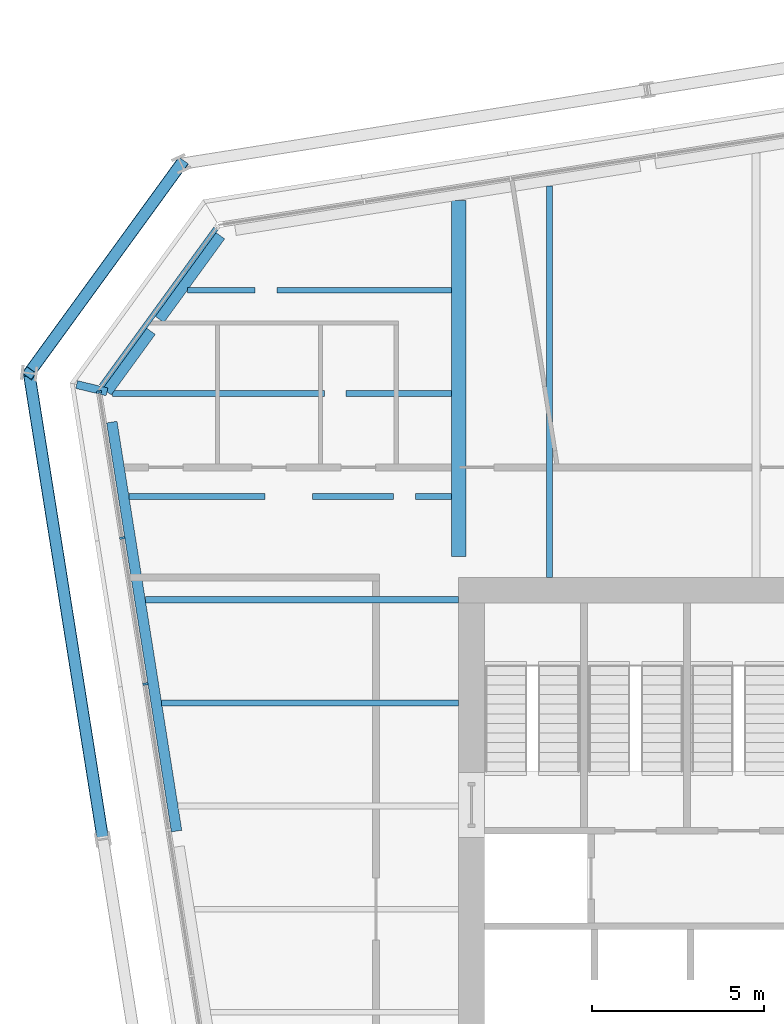
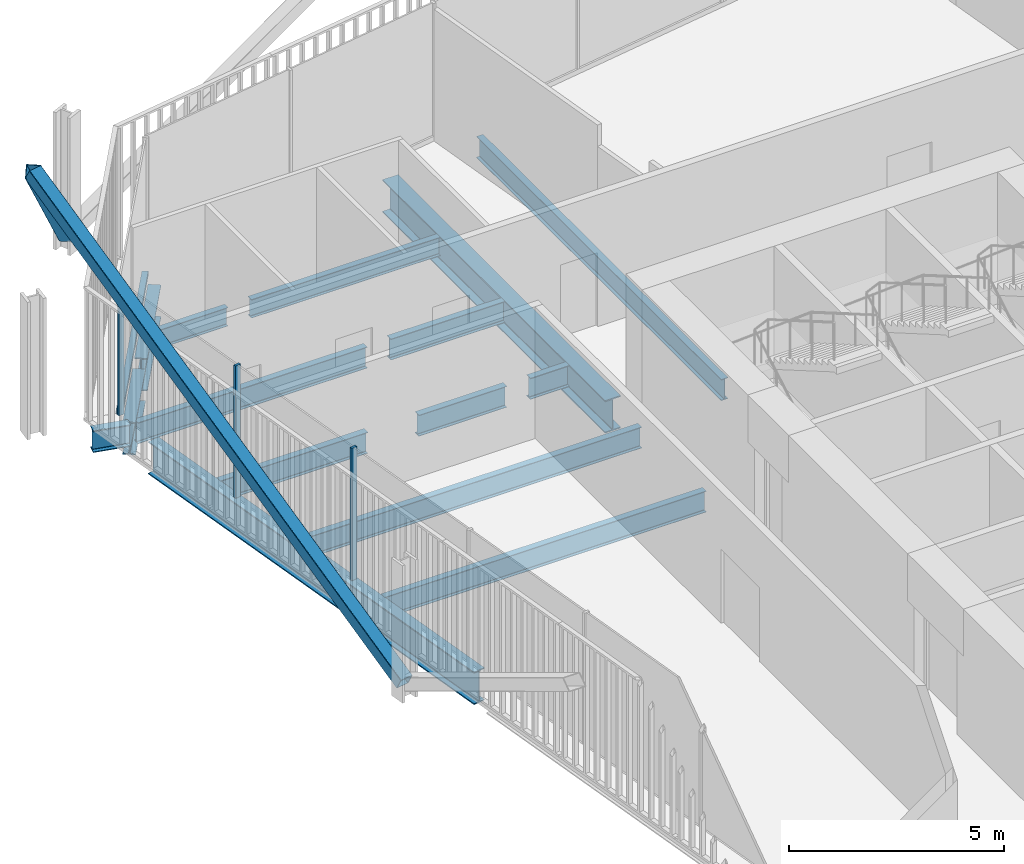
# One storey, part 7 of 19: 15 beams, 6 members, 2 elements without a shape of their own.
"""IFC4 building model written with IfcOpenShell, lengths in metres."""

from ifc_helpers import new_model, si_unit, direction, frame, origin, origin_2d, place, context, subcontext, project, spatial, rectangle, hollow_rectangle, i_section, extrude, material, layer, layer_set, material_profile, profile_set, type_object, element, aggregate, save


model = new_model("IFC4")

# Units and contexts
model_context = context("Model", 3, precision=1e-05, world=origin(), true_north=direction((0.0, 1.0)))
body_context = subcontext(model_context, "Body", "Model", "MODEL_VIEW")
ifc_project = project(units=[si_unit("LENGTHUNIT", "METRE"), si_unit("AREAUNIT", "SQUARE_METRE"), si_unit("VOLUMEUNIT", "CUBIC_METRE"), si_unit("PLANEANGLEUNIT", "RADIAN"), si_unit("MASSUNIT", "GRAM", prefix="KILO")], contexts=[model_context])

# Site, building, storey
site_placement = place(None, origin())
site = spatial("IfcSite", under=ifc_project, at=site_placement, CompositionType="ELEMENT")
building_placement = place(site_placement, origin())
building = spatial("IfcBuilding", under=site, at=building_placement, Name="Millrace Tower", CompositionType="ELEMENT")
storey_placement = place(building_placement, frame((0.0, 0.0, 129.5)))
storey = spatial("IfcBuildingStorey", under=building, at=storey_placement, Name="L28", CompositionType="ELEMENT", Elevation=129.5)

# Curtain wall, members
ifc_material_1 = material(Name="Aluminium and glass", Category="aluminium")
ifc_layer = layer(ifc_material_1, 0.14990234375)
ifc_layer_set = layer_set([ifc_layer], Name="Aluminium and glass")
curtain_wall_type = type_object("IfcCurtainWallType", Name="CW-1 office vision curtain wall", PredefinedType="NOTDEFINED", material=ifc_layer_set)
placement = place(storey_placement, origin())
curtain_wall_1 = element("IfcCurtainWall", 1, at=placement, inside=storey, type_object=curtain_wall_type, Name="Curtain wall C-F08 L28", PredefinedType="NOTDEFINED")
ifc_material_2 = material(Name="Aluminium", Category="aluminium")
ifc_material_profile_1 = material_profile(ifc_material_2, rectangle(XDim=0.06494140625, YDim=0.14990234375, at=origin_2d()))
ifc_profile_set_1 = profile_set([ifc_material_profile_1], Name="Aluminium")
member_type_1 = type_object("IfcMemberType", Name="CW-1 office vision curtain wall mullion", PredefinedType="MULLION", material=ifc_profile_set_1)
member_1_placement = place(storey_placement, frame((-25.106689453125, 15.041748046875, 0.139892578125), z_axis=(0.0, 0.0, 1.0), x_axis=(0.15643447328, -0.98768833929, 0.0)))
member_1 = element("IfcMember", 2, at=member_1_placement, type_object=member_type_1, Name="CW1 mullion C-F08.1", PredefinedType="MULLION", context=body_context, shape_type="SweptSolid", body=[
    extrude(rectangle(XDim=0.06494140625, YDim=0.14990234375, at=origin_2d()), origin(), (0.0, 0.0, 1.0), 3.760009765625),
])
member_2_placement = place(storey_placement, frame((-24.43408203125, 10.794677734375, 0.139892578125), z_axis=(0.0, 0.0, 1.0), x_axis=(0.15643447328, -0.98768833929, 0.0)))
member_2 = element("IfcMember", 3, at=member_2_placement, type_object=member_type_1, Name="CW1 mullion C-F08.2", PredefinedType="MULLION", context=body_context, shape_type="SweptSolid", body=[
    extrude(rectangle(XDim=0.06494140625, YDim=0.14990234375, at=origin_2d()), origin(), (0.0, 0.0, 1.0), 3.760009765625),
])
member_3_placement = place(storey_placement, frame((-23.76123046875, 6.547607421875, 0.139892578125), z_axis=(0.0, 0.0, 1.0), x_axis=(0.15643447328, -0.98768833929, 0.0)))
member_3 = element("IfcMember", 4, at=member_3_placement, type_object=member_type_1, Name="CW1 mullion C-F08.3", PredefinedType="MULLION", context=body_context, shape_type="SweptSolid", body=[
    extrude(rectangle(XDim=0.06494140625, YDim=0.14990234375, at=origin_2d()), origin(), (0.0, 0.0, 1.0), 3.760009765625),
])
aggregate(curtain_wall_1, [member_1, member_2, member_3])

# Curtain wall, member
curtain_wall_2 = element("IfcCurtainWall", 5, at=placement, inside=storey, type_object=curtain_wall_type, Name="Curtain wall C-F07 L28", PredefinedType="NOTDEFINED")
ifc_material_3 = material(Name="Aluminium", Category="aluminium")
ifc_material_profile_2 = material_profile(ifc_material_3, rectangle(XDim=0.14990234375, YDim=0.139892578125, at=origin_2d()))
ifc_profile_set_2 = profile_set([ifc_material_profile_2], Name="Aluminium")
member_type_2 = type_object("IfcMemberType", Name="CW-1 office vision curtain wall transom", PredefinedType="USERDEFINED", material=ifc_profile_set_2)
member_4_placement = place(storey_placement, frame((-21.70751953125, 19.796875, 0.070068359375), z_axis=(-0.587761915215, -0.80903394924, 0.0), x_axis=(0.80903394924, -0.587761915215, 0.0)))
member_4 = element("IfcMember", 6, at=member_4_placement, type_object=member_type_2, Name="CW1 transom C-F07.1", ObjectType="TRANSOM", PredefinedType="USERDEFINED", context=body_context, shape_type="SweptSolid", body=[
    extrude(rectangle(XDim=0.14990234375, YDim=0.139892578125, at=origin_2d()), origin(), (0.0, 0.0, 1.0), 5.6689453125),
])
aggregate(curtain_wall_2, [member_4])

# Members
ifc_material_4 = material(Name="Steel ASTM A500 Grade C", Category="steel")
ifc_material_profile_3 = material_profile(ifc_material_4, hollow_rectangle(XDim=0.355712890625, YDim=0.355712890625, WallThickness=0.015869140625, InnerFilletRadius=0.008056640625, OuterFilletRadius=0.02392578125, at=origin_2d()))
ifc_profile_set_3 = profile_set([ifc_material_profile_3], Name="Steel ASTM A500 Grade C")
member_type_3 = type_object("IfcMemberType", Name="Exoskeleton brace HSS14x14x5/8", PredefinedType="BRACE", material=ifc_profile_set_3)
member_5_placement = place(storey_placement, frame((-22.718994140625, 21.679443359375, 0.39990234375), z_axis=(-0.430389097037, -0.592387752691, 0.681059450866), x_axis=(0.809020759968, -0.587780069364, 0.0)))
element("IfcMember", 7, at=member_5_placement, inside=storey, type_object=member_type_3, Name="BRC-C-L28-13", PredefinedType="BRACE", context=body_context, shape_type="SweptSolid", body=[
    extrude(hollow_rectangle(XDim=0.355712890625, YDim=0.355712890625, WallThickness=0.015869140625, InnerFilletRadius=0.008056640625, OuterFilletRadius=0.02392578125, at=origin_2d()), origin(), (0.0, 0.0, 1.0), 10.278076171875),
])
member_6_placement = place(storey_placement, frame((-24.9951171875, 2.031494140625, 0.39990234375), z_axis=(-0.139355372932, 0.879906554943, 0.454251620363), x_axis=(-0.987689751328, -0.156425557764, 0.0)))
element("IfcMember", 8, at=member_6_placement, inside=storey, type_object=member_type_3, Name="BRC-C-L28-14", PredefinedType="BRACE", context=body_context, shape_type="SweptSolid", body=[
    extrude(hollow_rectangle(XDim=0.355712890625, YDim=0.355712890625, WallThickness=0.015869140625, InnerFilletRadius=0.008056640625, OuterFilletRadius=0.02392578125, at=origin_2d()), origin(), (0.0, 0.0, 1.0), 15.409912109375),
])

# Beams
ifc_material_5 = material(Name="Steel ASTM A992 Grade 50", Category="steel")
ifc_material_profile_4 = material_profile(ifc_material_5, i_section(OverallWidth=0.1650390625, OverallDepth=0.52587890625, WebThickness=0.0087890625, FlangeThickness=0.011474609375, FilletRadius=0.0126953125, at=origin_2d()))
ifc_profile_set_4 = profile_set([ifc_material_profile_4], Name="Steel ASTM A992 Grade 50")
beam_type_1 = type_object("IfcBeamType", Name="Floor beam W21x44", PredefinedType="JOIST", material=ifc_profile_set_4)
beam_1_placement = place(storey_placement, frame((-22.540283203125, 18.0, -0.4228515625), z_axis=(1.0, 0.0, 0.0), x_axis=(0.0, 1.0, 0.0)))
element("IfcBeam", 9, at=beam_1_placement, inside=storey, type_object=beam_type_1, Name="BM-C-L28-S1-S035-a", PredefinedType="JOIST", context=body_context, shape_type="SweptSolid", body=[
    extrude(i_section(OverallWidth=0.1650390625, OverallDepth=0.52587890625, WebThickness=0.0087890625, FlangeThickness=0.011474609375, FilletRadius=0.0126953125, at=origin_2d()), origin(), (0.0, 0.0, 1.0), 1.97607421875),
])
beam_2_placement = place(storey_placement, frame((-19.937744140625, 18.0, -0.4228515625), z_axis=(1.0, 0.0, 0.0), x_axis=(0.0, 1.0, 0.0)))
element("IfcBeam", 10, at=beam_2_placement, inside=storey, type_object=beam_type_1, Name="BM-C-L28-S1-S035-b", PredefinedType="JOIST", context=body_context, shape_type="SweptSolid", body=[
    extrude(i_section(OverallWidth=0.1650390625, OverallDepth=0.52587890625, WebThickness=0.0087890625, FlangeThickness=0.011474609375, FilletRadius=0.0126953125, at=origin_2d()), origin(), (0.0, 0.0, 1.0), 5.078125),
])
ifc_material_6 = material(Name="Steel ASTM A992 Grade 50", Category="steel")
ifc_material_profile_5 = material_profile(ifc_material_6, i_section(OverallWidth=0.177978515625, OverallDepth=0.599365234375, WebThickness=0.010009765625, FlangeThickness=0.012939453125, FilletRadius=0.012939453125, at=origin_2d()))
ifc_profile_set_5 = profile_set([ifc_material_profile_5], Name="Steel ASTM A992 Grade 50")
beam_type_2 = type_object("IfcBeamType", Name="Floor beam W24x55", PredefinedType="JOIST", material=ifc_profile_set_5)
beam_3_placement = place(storey_placement, frame((-23.28759765625, 6.0, -0.459716796875), z_axis=(1.0, 0.0, 0.0), x_axis=(0.0, 1.0, 0.0)))
element("IfcBeam", 11, at=beam_3_placement, inside=storey, type_object=beam_type_2, Name="BM-C-L28-S1-S026", PredefinedType="JOIST", context=body_context, shape_type="SweptSolid", body=[
    extrude(i_section(OverallWidth=0.177978515625, OverallDepth=0.599365234375, WebThickness=0.010009765625, FlangeThickness=0.012939453125, FilletRadius=0.012939453125, at=origin_2d()), origin(), (0.0, 0.0, 1.0), 8.6376953125),
])
beam_4_placement = place(storey_placement, frame((-23.7626953125, 9.0, -0.459716796875), z_axis=(1.0, 0.0, 0.0), x_axis=(0.0, 1.0, 0.0)))
element("IfcBeam", 12, at=beam_4_placement, inside=storey, type_object=beam_type_2, Name="BM-C-L28-S1-S029", PredefinedType="JOIST", context=body_context, shape_type="SweptSolid", body=[
    extrude(i_section(OverallWidth=0.177978515625, OverallDepth=0.599365234375, WebThickness=0.010009765625, FlangeThickness=0.012939453125, FilletRadius=0.012939453125, at=origin_2d()), origin(), (0.0, 0.0, 1.0), 9.11279296875),
])
beam_5_placement = place(storey_placement, frame((-15.9091796875, 12.0, -0.459716796875), z_axis=(1.0, 0.0, 0.0), x_axis=(0.0, 1.0, 0.0)))
element("IfcBeam", 13, at=beam_5_placement, inside=storey, type_object=beam_type_2, Name="BM-C-L28-S1-S031-b", PredefinedType="JOIST", context=body_context, shape_type="SweptSolid", body=[
    extrude(i_section(OverallWidth=0.177978515625, OverallDepth=0.599365234375, WebThickness=0.010009765625, FlangeThickness=0.012939453125, FilletRadius=0.012939453125, at=origin_2d()), origin(), (0.0, 0.0, 1.0), 1.049560546875),
])
beam_6_placement = place(storey_placement, frame((-24.712890625, 15.0, -0.459716796875), z_axis=(1.0, 0.0, 0.0), x_axis=(0.0, 1.0, 0.0)))
element("IfcBeam", 14, at=beam_6_placement, inside=storey, type_object=beam_type_2, Name="BM-C-L28-S1-S033-a", PredefinedType="JOIST", context=body_context, shape_type="SweptSolid", body=[
    extrude(i_section(OverallWidth=0.177978515625, OverallDepth=0.599365234375, WebThickness=0.010009765625, FlangeThickness=0.012939453125, FilletRadius=0.012939453125, at=origin_2d()), origin(), (0.0, 0.0, 1.0), 6.1572265625),
])
beam_7_placement = place(storey_placement, frame((-17.921630859375, 15.0, -0.459716796875), z_axis=(1.0, 0.0, 0.0), x_axis=(0.0, 1.0, 0.0)))
element("IfcBeam", 15, at=beam_7_placement, inside=storey, type_object=beam_type_2, Name="BM-C-L28-S1-S033-b", PredefinedType="JOIST", context=body_context, shape_type="SweptSolid", body=[
    extrude(i_section(OverallWidth=0.177978515625, OverallDepth=0.599365234375, WebThickness=0.010009765625, FlangeThickness=0.012939453125, FilletRadius=0.012939453125, at=origin_2d()), origin(), (0.0, 0.0, 1.0), 3.06201171875),
])
beam_8_placement = place(storey_placement, frame((-24.23779296875, 12.0, -0.459716796875), z_axis=(1.0, 0.0, 0.0), x_axis=(0.0, 1.0, 0.0)))
element("IfcBeam", 16, at=beam_8_placement, inside=storey, type_object=beam_type_2, Name="BM-C-L28-S1-S031-a-a", PredefinedType="JOIST", context=body_context, shape_type="SweptSolid", body=[
    extrude(i_section(OverallWidth=0.177978515625, OverallDepth=0.599365234375, WebThickness=0.010009765625, FlangeThickness=0.012939453125, FilletRadius=0.012939453125, at=origin_2d()), origin(), (0.0, 0.0, 1.0), 3.9599609375),
])
beam_9_placement = place(storey_placement, frame((-18.905517578125, 12.0, -0.459716796875), z_axis=(1.0, 0.0, 0.0), x_axis=(0.0, 1.0, 0.0)))
element("IfcBeam", 17, at=beam_9_placement, inside=storey, type_object=beam_type_2, Name="BM-C-L28-S1-S031-a-b", PredefinedType="JOIST", context=body_context, shape_type="SweptSolid", body=[
    extrude(i_section(OverallWidth=0.177978515625, OverallDepth=0.599365234375, WebThickness=0.010009765625, FlangeThickness=0.012939453125, FilletRadius=0.012939453125, at=origin_2d()), origin(), (0.0, 0.0, 1.0), 2.362060546875),
])
ifc_material_7 = material(Name="Steel ASTM A992 Grade 50", Category="steel")
ifc_material_profile_6 = material_profile(ifc_material_7, i_section(OverallWidth=0.1787109375, OverallDepth=0.60205078125, WebThickness=0.010986328125, FlangeThickness=0.014892578125, FilletRadius=0.0126953125, at=origin_2d()))
ifc_profile_set_6 = profile_set([ifc_material_profile_6], Name="Steel ASTM A992 Grade 50")
beam_type_3 = type_object("IfcBeamType", Name="Floor beam W24x62", PredefinedType="JOIST", material=ifc_profile_set_6)
beam_10_placement = place(storey_placement, frame((-12.0, 9.64990234375, -0.4609375), z_axis=(0.0, 1.0, 0.0), x_axis=(-1.0, 0.0, 0.0)))
element("IfcBeam", 18, at=beam_10_placement, inside=storey, type_object=beam_type_3, Name="BM-C-L28-S1-S039", PredefinedType="JOIST", context=body_context, shape_type="SweptSolid", body=[
    extrude(i_section(OverallWidth=0.1787109375, OverallDepth=0.60205078125, WebThickness=0.010986328125, FlangeThickness=0.014892578125, FilletRadius=0.0126953125, at=origin_2d()), origin(), (0.0, 0.0, 1.0), 11.39111328125),
])
ifc_material_8 = material(Name="Steel ASTM A992 Grade 50", Category="steel")
ifc_material_profile_7 = material_profile(ifc_material_8, i_section(OverallWidth=0.419189453125, OverallDepth=0.927001953125, WebThickness=0.019287109375, FlangeThickness=0.031982421875, FilletRadius=0.024169921875, at=origin_2d()))
ifc_profile_set_7 = profile_set([ifc_material_profile_7], Name="Steel ASTM A992 Grade 50")
beam_type_4 = type_object("IfcBeamType", Name="Girder short span W36x231", PredefinedType="BEAM", material=ifc_profile_set_7)
beam_11_placement = place(storey_placement, frame((-14.64990234375, 10.260498046875, -0.62353515625), z_axis=(0.0, 1.0, 0.0), x_axis=(-1.0, 0.0, 0.0)))
element("IfcBeam", 19, at=beam_11_placement, inside=storey, type_object=beam_type_4, Name="BM-C-L28-S1-G057", PredefinedType="BEAM", context=body_context, shape_type="SweptSolid", body=[
    extrude(i_section(OverallWidth=0.419189453125, OverallDepth=0.927001953125, WebThickness=0.019287109375, FlangeThickness=0.031982421875, FilletRadius=0.024169921875, at=origin_2d()), origin(), (0.0, 0.0, 1.0), 10.352783203125),
])
ifc_material_9 = material(Name="Steel ASTM A992 Grade 50", Category="steel")
ifc_material_profile_8 = material_profile(ifc_material_9, i_section(OverallWidth=0.23046875, OverallDepth=0.6171875, WebThickness=0.01318359375, FlangeThickness=0.022216796875, FilletRadius=0.012939453125, at=origin_2d()))
ifc_profile_set_8 = profile_set([ifc_material_profile_8], Name="Steel ASTM A992 Grade 50")
beam_type_5 = type_object("IfcBeamType", Name="Link beam W24x94", PredefinedType="BEAM", material=ifc_profile_set_8)
beam_12_placement = place(storey_placement, frame((-24.8759765625, 15.046630859375, -0.468505859375), z_axis=(-0.972362880921, 0.233474683441, 0.0), x_axis=(-0.233474683441, -0.972362880921, 0.0)))
element("IfcBeam", 20, at=beam_12_placement, inside=storey, type_object=beam_type_5, Name="LNK-C-L28-S1-04", PredefinedType="BEAM", context=body_context, shape_type="SweptSolid", body=[
    extrude(i_section(OverallWidth=0.23046875, OverallDepth=0.6171875, WebThickness=0.01318359375, FlangeThickness=0.022216796875, FilletRadius=0.012939453125, at=origin_2d()), origin(), (0.0, 0.0, 1.0), 0.90771484375),
])
ifc_material_10 = material(Name="Steel ASTM A992 Grade 50", Category="steel")
ifc_material_profile_9 = material_profile(ifc_material_10, i_section(OverallWidth=0.307373046875, OverallDepth=0.927001953125, WebThickness=0.01953125, FlangeThickness=0.031982421875, FilletRadius=0.01904296875, at=origin_2d()))
ifc_profile_set_9 = profile_set([ifc_material_profile_9], Name="Steel ASTM A992 Grade 50")
beam_type_6 = type_object("IfcBeamType", Name="Ring beam medium span W36x194", PredefinedType="SPANDREL", material=ifc_profile_set_9)
beam_13_placement = place(storey_placement, frame((-22.852294921875, 2.26953125, -0.62353515625), z_axis=(-0.156422627942, 0.987690215335, 0.0), x_axis=(-0.987690215335, -0.156422627942, 0.0)))
element("IfcBeam", 21, at=beam_13_placement, inside=storey, type_object=beam_type_6, Name="RNG-C-L28-S1-03", PredefinedType="SPANDREL", context=body_context, shape_type="SweptSolid", body=[
    extrude(i_section(OverallWidth=0.307373046875, OverallDepth=0.927001953125, WebThickness=0.01953125, FlangeThickness=0.031982421875, FilletRadius=0.01904296875, at=origin_2d()), origin(), (0.0, 0.0, 1.0), 12.04443359375),
])
ifc_material_11 = material(Name="Steel ASTM A992 Grade 50", Category="steel")
ifc_material_profile_10 = material_profile(ifc_material_11, i_section(OverallWidth=0.307373046875, OverallDepth=0.927001953125, WebThickness=0.01953125, FlangeThickness=0.031982421875, FilletRadius=0.01904296875, at=origin_2d()))
ifc_profile_set_10 = profile_set([ifc_material_profile_10], Name="Steel ASTM A992 Grade 50")
beam_type_7 = type_object("IfcBeamType", Name="Ring beam short span W36x194", PredefinedType="SPANDREL", material=ifc_profile_set_10)
beam_14_placement = place(storey_placement, frame((-24.8759765625, 15.046630859375, -0.62353515625), z_axis=(0.587818193372, 0.808993060255, 0.0), x_axis=(-0.808993060255, 0.587818193372, 0.0)))
element("IfcBeam", 22, at=beam_14_placement, inside=storey, type_object=beam_type_7, Name="RNG-C-L28-S1-04-a", PredefinedType="SPANDREL", context=body_context, shape_type="SweptSolid", body=[
    extrude(i_section(OverallWidth=0.307373046875, OverallDepth=0.927001953125, WebThickness=0.01953125, FlangeThickness=0.031982421875, FilletRadius=0.01904296875, at=origin_2d()), origin(), (0.0, 0.0, 1.0), 2.1767578125),
])
beam_15_placement = place(storey_placement, frame((-23.3466796875, 17.151611328125, -0.62353515625), z_axis=(0.587780893365, 0.809020161303, 0.0), x_axis=(-0.809020161303, 0.587780893365, 0.0)))
element("IfcBeam", 23, at=beam_15_placement, inside=storey, type_object=beam_type_7, Name="RNG-C-L28-S1-04-b", PredefinedType="SPANDREL", context=body_context, shape_type="SweptSolid", body=[
    extrude(i_section(OverallWidth=0.307373046875, OverallDepth=0.927001953125, WebThickness=0.01953125, FlangeThickness=0.031982421875, FilletRadius=0.01904296875, at=origin_2d()), origin(), (0.0, 0.0, 1.0), 3.00927734375),
])

save(model, "model.ifc")
